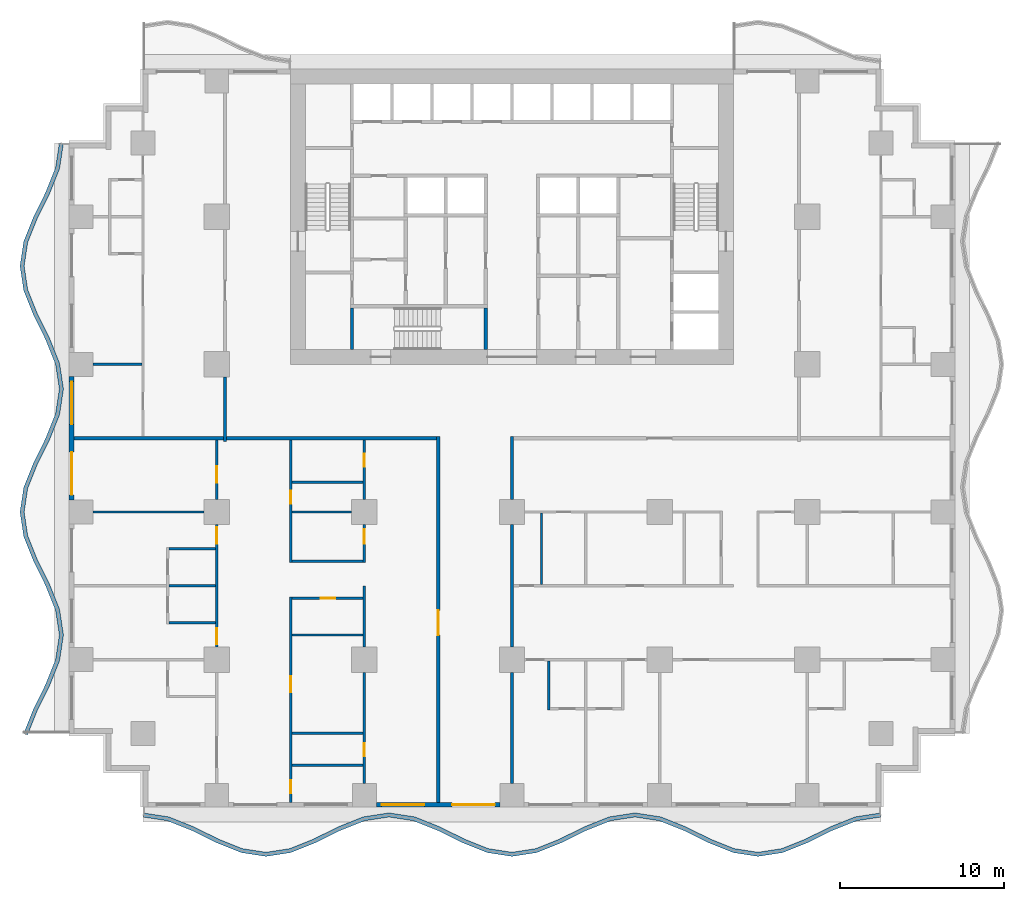
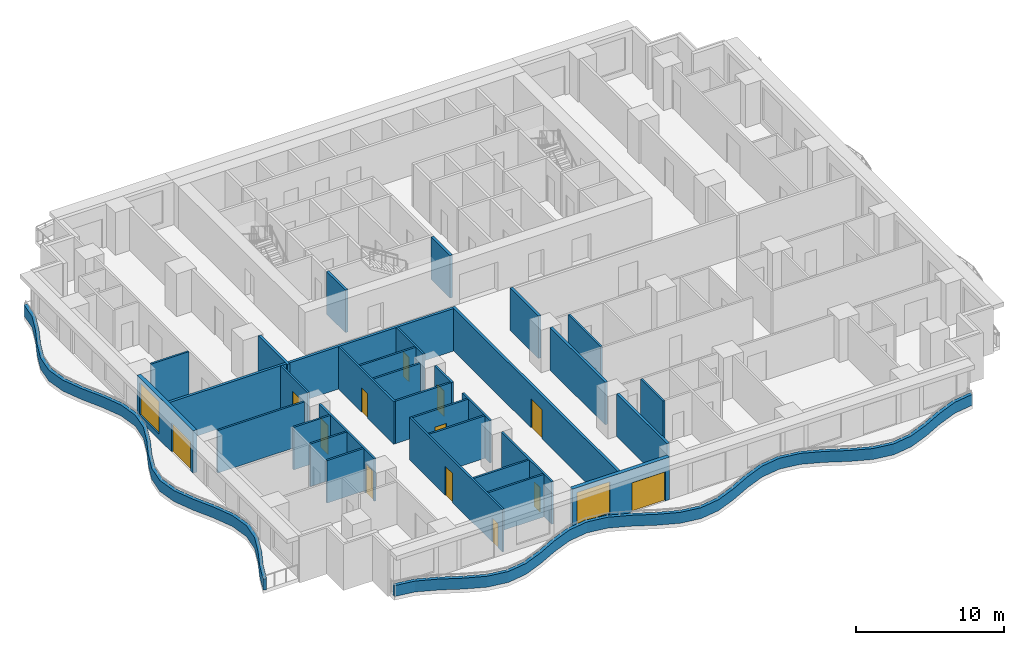
# One storey, part 2 of 14: 35 walls, 13 doors, 2 windows, 15 openings.
"""IFC4 building model written with IfcOpenShell, lengths in metres."""

from ifc_helpers import new_model, si_unit, direction, frame, frame_2d, origin, place, context, subcontext, project, spatial, polyline, rectangle, outline, extrude, material, layer, layer_set, type_object, element, fill, save


model = new_model("IFC4")

# Units and contexts
model_context = context("Model", 3, precision=1e-05, world=origin(), true_north=direction((0.0, 1.0)))
body_context = subcontext(model_context, "Body", "Model", "MODEL_VIEW")
ifc_project = project(units=[si_unit("LENGTHUNIT", "METRE"), si_unit("AREAUNIT", "SQUARE_METRE"), si_unit("VOLUMEUNIT", "CUBIC_METRE"), si_unit("PLANEANGLEUNIT", "RADIAN"), si_unit("MASSUNIT", "GRAM", prefix="KILO")], contexts=[model_context])

# Site, building, storey
site_placement = place(None, origin())
site = spatial("IfcSite", under=ifc_project, at=site_placement, CompositionType="ELEMENT")
building_placement = place(site_placement, origin())
building = spatial("IfcBuilding", under=site, at=building_placement, Name="Orbiselva Terraces", CompositionType="ELEMENT")
storey_placement = place(building_placement, frame((0.0, 0.0, 37.8)))
storey = spatial("IfcBuildingStorey", under=building, at=storey_placement, Name="L09", CompositionType="ELEMENT", Elevation=37.8)

# Walls
ifc_material_1 = material(Name="Concrete C60/75", Category="concrete")
ifc_layer_1 = layer(ifc_material_1, 0.2)
ifc_layer_set_1 = layer_set([ifc_layer_1], Name="Concrete C60/75")
wall_type_1 = type_object("IfcWallType", Name="CORE-WALL-SHEAR-200", PredefinedType="SHEAR", material=ifc_layer_set_1)
for number, where, z_axis, x_axis, name in (
    (1, (-9.75, 5.4, 0.0), (0.0, 0.0, 1.0), (0.0, 1.0, 0.0), "L09 core wall 03"),
    (2, (-1.6, 5.4, 0.0), (0.0, 0.0, 1.0), (0.0, 1.0, 0.0), "L09 core wall 25"),
):
    element("IfcWall", number, at=place(storey_placement, frame(where, z_axis=z_axis, x_axis=x_axis)), inside=storey, type_object=wall_type_1, Name=name, PredefinedType="SHEAR", context=body_context, shape_type="SweptSolid", body=[
        extrude(rectangle(XDim=2.55, YDim=0.2, at=frame_2d((1.275, 0.0))), origin(), (0.0, 0.0, 1.0), 3.5),
    ])
ifc_material_2 = material(Name="Concrete C40/50", Category="concrete")
ifc_layer_2 = layer(ifc_material_2, 0.25)
ifc_layer_set_2 = layer_set([ifc_layer_2], Name="Concrete C40/50")
wall_type_2 = type_object("IfcWallType", Name="ENV-PLANTER-250x900", PredefinedType="USERDEFINED", material=ifc_layer_set_2)
wall_1_placement = place(storey_placement, origin())
element("IfcWall", 3, at=wall_1_placement, inside=storey, type_object=wall_type_2, Name="Balcony planter L09 S", ObjectType="PLANTER", PredefinedType="USERDEFINED", context=body_context, shape_type="SweptSolid", body=[
    extrude(outline(polyline([(-22.5, -23.1), (-21.0, -23.32918), (-19.5, -23.92918), (-18.0, -24.67082), (-16.5, -25.27082), (-15.0, -25.5), (-13.5, -25.27082), (-12.0, -24.67082), (-10.5, -23.92918), (-9.0, -23.32918), (-7.5, -23.1), (-6.0, -23.32918), (-4.5, -23.92918), (-3.0, -24.67082), (-1.5, -25.27082), (0.0, -25.5), (1.5, -25.27082), (3.0, -24.67082), (4.5, -23.92918), (6.0, -23.32918), (7.5, -23.1), (9.0, -23.32918), (10.5, -23.92918), (12.0, -24.67082), (13.5, -25.27082), (15.0, -25.5), (16.5, -25.27082), (18.0, -24.67082), (19.5, -23.92918), (21.0, -23.32918), (22.5, -23.1), (22.462242, -22.852868), (20.933834, -23.086388), (19.398017, -23.700715), (17.898017, -24.442355), (16.433834, -25.028028), (15.0, -25.247099), (13.566166, -25.028028), (12.101983, -24.442355), (10.601983, -23.700715), (9.066166, -23.086388), (7.5, -22.847099), (5.933834, -23.086388), (4.398017, -23.700715), (2.898017, -24.442355), (1.433834, -25.028028), (0.0, -25.247099), (-1.433834, -25.028028), (-2.898017, -24.442355), (-4.398017, -23.700715), (-5.933834, -23.086388), (-7.5, -22.847099), (-9.066166, -23.086388), (-10.601983, -23.700715), (-12.101983, -24.442355), (-13.566166, -25.028028), (-15.0, -25.247099), (-16.433834, -25.028028), (-17.898017, -24.442355), (-19.398017, -23.700715), (-20.933834, -23.086388), (-22.462242, -22.852868), (-22.5, -23.1)])), origin(), (0.0, 0.0, 1.0), 0.9),
])
wall_2_placement = place(storey_placement, origin())
element("IfcWall", 4, at=wall_2_placement, inside=storey, type_object=wall_type_2, Name="Balcony planter L09 W", ObjectType="PLANTER", PredefinedType="USERDEFINED", context=body_context, shape_type="SweptSolid", body=[
    extrude(outline(polyline([(-27.6, 18.0), (-27.82918, 16.5), (-28.42918, 15.0), (-29.17082, 13.5), (-29.77082, 12.0), (-30.0, 10.5), (-29.77082, 9.0), (-29.17082, 7.5), (-28.42918, 6.0), (-27.82918, 4.5), (-27.6, 3.0), (-27.82918, 1.5), (-28.42918, 0.0), (-29.17082, -1.5), (-29.77082, -3.0), (-30.0, -4.5), (-29.77082, -6.0), (-29.17082, -7.5), (-28.42918, -9.0), (-27.82918, -10.5), (-27.6, -12.0), (-27.82918, -13.5), (-28.42918, -15.0), (-29.17082, -16.5), (-29.77082, -18.0), (-29.538701, -18.092848), (-28.942355, -16.601983), (-28.200715, -15.101983), (-27.586388, -13.566166), (-27.347099, -12.0), (-27.586388, -10.433834), (-28.200715, -8.898017), (-28.942355, -7.398017), (-29.528028, -5.933834), (-29.747099, -4.5), (-29.528028, -3.066166), (-28.942355, -1.601983), (-28.200715, -0.101983), (-27.586388, 1.433834), (-27.347099, 3.0), (-27.586388, 4.566166), (-28.200715, 6.101983), (-28.942355, 7.601983), (-29.528028, 9.066166), (-29.747099, 10.5), (-29.528028, 11.933834), (-28.942355, 13.398017), (-28.200715, 14.898017), (-27.586388, 16.433834), (-27.352868, 17.962242), (-27.6, 18.0)])), origin(), (0.0, 0.0, 1.0), 0.9),
])

# Wall, openings, door, window
ifc_material_3 = material(Name="Terracotta cladding on masonry backing", Category="masonry")
ifc_layer_3 = layer(ifc_material_3, 0.3)
ifc_layer_set_3 = layer_set([ifc_layer_3], Name="Terracotta cladding on masonry backing")
wall_type_3 = type_object("IfcWallType", Name="ENV-WALL-TERRACOTTA-300", PredefinedType="SOLIDWALL", material=ifc_layer_set_3)
wall_3_placement = place(storey_placement, frame((-0.725, -22.35, 0.0), z_axis=(0.0, 0.0, 1.0), x_axis=(-1.0, 0.0, 0.0)))
wall_3 = element("IfcWall", 5, at=wall_3_placement, inside=storey, type_object=wall_type_3, Name="Facade wall L09 S", PredefinedType="SOLIDWALL", context=body_context, shape_type="SweptSolid", body=[
    extrude(rectangle(XDim=7.55, YDim=0.3, at=frame_2d((3.775, 0.0))), origin(), (0.0, 0.0, 1.0), 3.5),
])
opening_1_placement = place(wall_3_placement, frame((4.625, 0.0, 0.45)))
opening_1 = element("IfcOpeningElement", 6, at=opening_1_placement, cuts=wall_3, Name="Opening WN1", PredefinedType="OPENING", context=body_context, shape_type="SweptSolid", body=[
    extrude(rectangle(XDim=2.6, YDim=2.65, at=frame_2d((1.3, 1.325))), frame((0.0, 0.16, 0.0), z_axis=(0.0, -1.0, 0.0), x_axis=(1.0, 0.0, 0.0)), (0.0, 0.0, 1.0), 0.32),
])
opening_2_placement = place(wall_3_placement, frame((0.325, 0.0, 0.0)))
opening_2 = element("IfcOpeningElement", 7, at=opening_2_placement, cuts=wall_3, Name="Opening Z1-C-E02", PredefinedType="OPENING", context=body_context, shape_type="SweptSolid", body=[
    extrude(rectangle(XDim=2.6, YDim=2.4, at=frame_2d((1.3, 1.2))), frame((0.0, 0.16, 0.0), z_axis=(0.0, -1.0, 0.0), x_axis=(1.0, 0.0, 0.0)), (0.0, 0.0, 1.0), 0.32),
])
ifc_material_4 = material(Name="Clear low-e glazing in aluminium frame", Category="aluminium")
door_type_1 = type_object("IfcDoorType", Name="BALCONY DOOR 2600 X 2400", OperationType="DOUBLE_DOOR_SLIDING", PredefinedType="DOOR", material=ifc_material_4)
door_1_placement = place(opening_2_placement, origin())
door_1 = element("IfcDoor", 8, at=door_1_placement, inside=storey, type_object=door_type_1, Name="Z1-C-E02", OperationType="SINGLE_SWING_LEFT", OverallHeight=2.4, OverallWidth=2.6, PredefinedType="DOOR", context=body_context, shape_type="SweptSolid", body=[
    extrude(rectangle(XDim=2.6, YDim=2.4, at=frame_2d((1.3, 1.2))), frame((0.0, 0.025, 0.0), z_axis=(0.0, -1.0, 0.0), x_axis=(1.0, 0.0, 0.0)), (0.0, 0.0, 1.0), 0.05),
])
fill(opening_2, door_1)
window_type = type_object("IfcWindowType", Name="WINDOW 2600 X 2650 S450", PartitioningType="TRIPLE_PANEL_VERTICAL", PredefinedType="WINDOW", material=ifc_material_4)
window_1_placement = place(opening_1_placement, origin())
window_1 = element("IfcWindow", 9, at=window_1_placement, inside=storey, type_object=window_type, Name="Window L09 S", OverallHeight=2.65, OverallWidth=2.6, PartitioningType="SINGLE_PANEL", PredefinedType="WINDOW", context=body_context, shape_type="SweptSolid", body=[
    extrude(rectangle(XDim=2.6, YDim=2.65, at=frame_2d((1.3, 1.325))), frame((0.0, 0.03, 0.0), z_axis=(0.0, -1.0, 0.0), x_axis=(1.0, 0.0, 0.0)), (0.0, 0.0, 1.0), 0.06),
])
fill(opening_1, window_1)

wall_4_placement = place(storey_placement, frame((-26.85, -3.775, 0.0), z_axis=(0.0, 0.0, 1.0), x_axis=(0.0, 1.0, 0.0)))
wall_4 = element("IfcWall", 10, at=wall_4_placement, inside=storey, type_object=wall_type_3, Name="Facade wall L09 W", PredefinedType="SOLIDWALL", context=body_context, shape_type="SweptSolid", body=[
    extrude(rectangle(XDim=7.55, YDim=0.3, at=frame_2d((3.775, 0.0))), origin(), (0.0, 0.0, 1.0), 3.5),
])
opening_3_placement = place(wall_4_placement, frame((4.625, 0.0, 0.45)))
opening_3 = element("IfcOpeningElement", 11, at=opening_3_placement, cuts=wall_4, Name="Opening WN1", PredefinedType="OPENING", context=body_context, shape_type="SweptSolid", body=[
    extrude(rectangle(XDim=2.6, YDim=2.65, at=frame_2d((1.3, 1.325))), frame((0.0, 0.16, 0.0), z_axis=(0.0, -1.0, 0.0), x_axis=(1.0, 0.0, 0.0)), (0.0, 0.0, 1.0), 0.32),
])
opening_4_placement = place(wall_4_placement, frame((0.325, 0.0, 0.0)))
opening_4 = element("IfcOpeningElement", 12, at=opening_4_placement, cuts=wall_4, Name="Opening Z1-C-E11", PredefinedType="OPENING", context=body_context, shape_type="SweptSolid", body=[
    extrude(rectangle(XDim=2.6, YDim=2.4, at=frame_2d((1.3, 1.2))), frame((0.0, 0.16, 0.0), z_axis=(0.0, -1.0, 0.0), x_axis=(1.0, 0.0, 0.0)), (0.0, 0.0, 1.0), 0.32),
])
door_2_placement = place(opening_4_placement, origin())
door_2 = element("IfcDoor", 13, at=door_2_placement, inside=storey, type_object=door_type_1, Name="Z1-C-E11", OperationType="SINGLE_SWING_LEFT", OverallHeight=2.4, OverallWidth=2.6, PredefinedType="DOOR", context=body_context, shape_type="SweptSolid", body=[
    extrude(rectangle(XDim=2.6, YDim=2.4, at=frame_2d((1.3, 1.2))), frame((0.0, 0.025, 0.0), z_axis=(0.0, -1.0, 0.0), x_axis=(1.0, 0.0, 0.0)), (0.0, 0.0, 1.0), 0.05),
])
fill(opening_4, door_2)
window_2_placement = place(opening_3_placement, origin())
window_2 = element("IfcWindow", 14, at=window_2_placement, inside=storey, type_object=window_type, Name="Window L09 W", OverallHeight=2.65, OverallWidth=2.6, PartitioningType="SINGLE_PANEL", PredefinedType="WINDOW", context=body_context, shape_type="SweptSolid", body=[
    extrude(rectangle(XDim=2.6, YDim=2.65, at=frame_2d((1.3, 1.325))), frame((0.0, 0.03, 0.0), z_axis=(0.0, -1.0, 0.0), x_axis=(1.0, 0.0, 0.0)), (0.0, 0.0, 1.0), 0.06),
])
fill(opening_3, window_2)

# Walls
ifc_material_5 = material(Name="Plasterboard on steel stud partition", Category="steel")
ifc_layer_4 = layer(ifc_material_5, 0.2)
ifc_layer_set_4 = layer_set([ifc_layer_4], Name="Plasterboard on steel stud partition")
wall_type_4 = type_object("IfcWallType", Name="UNIT-ENTRANCE-WALL-200", PredefinedType="PARTITIONING", material=ifc_layer_set_4)
wall_5_placement = place(storey_placement, frame((-17.4, 0.0, 0.0), z_axis=(0.0, 0.0, 1.0), x_axis=(1.0, 0.0, 0.0)))
element("IfcWall", 15, at=wall_5_placement, inside=storey, type_object=wall_type_4, Name="PARTITION L09-027", PredefinedType="PARTITIONING", context=body_context, shape_type="SweptSolid", body=[
    extrude(rectangle(XDim=12.8, YDim=0.2, at=frame_2d((6.4, 0.0))), origin(), (0.0, 0.0, 1.0), 3.5),
])
wall_6_placement = place(storey_placement, frame((-17.5, -0.2, 0.0), z_axis=(0.0, 0.0, 1.0), x_axis=(0.0, 1.0, 0.0)))
element("IfcWall", 16, at=wall_6_placement, inside=storey, type_object=wall_type_4, Name="PARTITION L09-048", PredefinedType="PARTITIONING", context=body_context, shape_type="SweptSolid", body=[
    extrude(rectangle(XDim=3.925, YDim=0.2, at=frame_2d((1.9625, 0.0))), origin(), (0.0, 0.0, 1.0), 3.5),
])

# Wall, opening, door
wall_7_placement = place(storey_placement, frame((-4.5, -22.2, 0.0), z_axis=(0.0, 0.0, 1.0), x_axis=(0.0, 1.0, 0.0)))
wall_7 = element("IfcWall", 17, at=wall_7_placement, inside=storey, type_object=wall_type_4, Name="PARTITION L09-057", PredefinedType="PARTITIONING", context=body_context, shape_type="SweptSolid", body=[
    extrude(rectangle(XDim=22.3, YDim=0.2, at=frame_2d((11.15, 0.0))), origin(), (0.0, 0.0, 1.0), 3.5),
])
opening_5_placement = place(wall_7_placement, frame((10.2, 0.0, 0.0)))
opening_5 = element("IfcOpeningElement", 18, at=opening_5_placement, cuts=wall_7, Name="Opening Z1-C-13", PredefinedType="OPENING", context=body_context, shape_type="SweptSolid", body=[
    extrude(rectangle(XDim=1.5, YDim=2.4, at=frame_2d((0.75, 1.2))), frame((0.0, 0.11, 0.0), z_axis=(0.0, -1.0, 0.0), x_axis=(1.0, 0.0, 0.0)), (0.0, 0.0, 1.0), 0.22),
])
ifc_material_6 = material(Name="Painted timber door leaf", Category="wood")
door_type_2 = type_object("IfcDoorType", Name="ENTRANCE DOUBLE DOOR 1500", OperationType="NOTDEFINED", PredefinedType="DOOR", material=ifc_material_6)
door_3_placement = place(opening_5_placement, origin())
door_3 = element("IfcDoor", 19, at=door_3_placement, inside=storey, type_object=door_type_2, Name="Z1-C-13", OperationType="DOUBLE_DOOR_SINGLE_SWING", OverallHeight=2.4, OverallWidth=1.5, PredefinedType="DOOR", context=body_context, shape_type="SweptSolid", body=[
    extrude(rectangle(XDim=1.5, YDim=2.4, at=frame_2d((0.75, 1.2))), frame((0.0, 0.025, 0.0), z_axis=(0.0, -1.0, 0.0), x_axis=(1.0, 0.0, 0.0)), (0.0, 0.0, 1.0), 0.05),
])
fill(opening_5, door_3)

# Walls
wall_8_placement = place(storey_placement, frame((0.0, -21.05, 0.0), z_axis=(0.0, 0.0, 1.0), x_axis=(0.0, 1.0, 0.0)))
element("IfcWall", 20, at=wall_8_placement, inside=storey, type_object=wall_type_4, Name="PARTITION L09-058", PredefinedType="PARTITIONING", context=body_context, shape_type="SweptSolid", body=[
    extrude(rectangle(XDim=6.775, YDim=0.2, at=frame_2d((3.3875, 0.0))), origin(), (0.0, 0.0, 1.0), 3.5),
])
wall_9_placement = place(storey_placement, frame((0.0, -12.725, 0.0), z_axis=(0.0, 0.0, 1.0), x_axis=(0.0, 1.0, 0.0)))
element("IfcWall", 21, at=wall_9_placement, inside=storey, type_object=wall_type_4, Name="PARTITION L09-059", PredefinedType="PARTITIONING", context=body_context, shape_type="SweptSolid", body=[
    extrude(rectangle(XDim=7.45, YDim=0.2, at=frame_2d((3.725, 0.0))), origin(), (0.0, 0.0, 1.0), 3.5),
])
wall_10_placement = place(storey_placement, frame((0.0, -3.725, 0.0), z_axis=(0.0, 0.0, 1.0), x_axis=(0.0, 1.0, 0.0)))
element("IfcWall", 22, at=wall_10_placement, inside=storey, type_object=wall_type_4, Name="PARTITION L09-060", PredefinedType="PARTITIONING", context=body_context, shape_type="SweptSolid", body=[
    extrude(rectangle(XDim=3.825, YDim=0.2, at=frame_2d((1.9125, 0.0))), origin(), (0.0, 0.0, 1.0), 3.5),
])
ifc_layer_5 = layer(ifc_material_5, 0.15)
ifc_layer_set_5 = layer_set([ifc_layer_5], Name="Plasterboard on steel stud partition")
wall_type_5 = type_object("IfcWallType", Name="UNIT-PARTITION-150", PredefinedType="PARTITIONING", material=ifc_layer_set_5)
for number, where, z_axis, x_axis, name in (
    (23, (-13.425, -19.95, 0.0), (0.0, 0.0, 1.0), (1.0, 0.0, 0.0), "PARTITION L09-001"),
    (24, (-13.425, -18.0, 0.0), (0.0, 0.0, 1.0), (1.0, 0.0, 0.0), "PARTITION L09-002"),
    (25, (-13.425, -12.0, 0.0), (0.0, 0.0, 1.0), (1.0, 0.0, 0.0), "PARTITION L09-011"),
):
    element("IfcWall", number, at=place(storey_placement, frame(where, z_axis=z_axis, x_axis=x_axis)), inside=storey, type_object=wall_type_5, Name=name, PredefinedType="PARTITIONING", context=body_context, shape_type="SweptSolid", body=[
        extrude(rectangle(XDim=4.35, YDim=0.15, at=frame_2d((2.175, 0.0))), origin(), (0.0, 0.0, 1.0), 3.5),
    ])
wall_11_placement = place(storey_placement, frame((-20.925, -11.25, 0.0), z_axis=(0.0, 0.0, 1.0), x_axis=(1.0, 0.0, 0.0)))
element("IfcWall", 26, at=wall_11_placement, inside=storey, type_object=wall_type_5, Name="PARTITION L09-012", PredefinedType="PARTITIONING", context=body_context, shape_type="SweptSolid", body=[
    extrude(rectangle(XDim=2.85, YDim=0.15, at=frame_2d((1.425, 0.0))), origin(), (0.0, 0.0, 1.0), 3.5),
])

# Wall, opening, door
wall_12_placement = place(storey_placement, frame((-9.075, -9.75, 0.0), z_axis=(0.0, 0.0, 1.0), x_axis=(-1.0, 0.0, 0.0)))
wall_12 = element("IfcWall", 27, at=wall_12_placement, inside=storey, type_object=wall_type_5, Name="PARTITION L09-013", PredefinedType="PARTITIONING", context=body_context, shape_type="SweptSolid", body=[
    extrude(rectangle(XDim=4.35, YDim=0.15, at=frame_2d((2.175, 0.0))), origin(), (0.0, 0.0, 1.0), 3.5),
])
opening_6_placement = place(wall_12_placement, frame((1.7, 0.0, 0.0)))
opening_6 = element("IfcOpeningElement", 28, at=opening_6_placement, cuts=wall_12, Name="Opening Z1-C-17", PredefinedType="OPENING", context=body_context, shape_type="SweptSolid", body=[
    extrude(rectangle(XDim=0.9, YDim=2.1, at=frame_2d((0.45, 1.05))), frame((0.0, 0.085, 0.0), z_axis=(0.0, -1.0, 0.0), x_axis=(1.0, 0.0, 0.0)), (0.0, 0.0, 1.0), 0.17),
])
door_type_3 = type_object("IfcDoorType", Name="BATH DOOR 900", OperationType="NOTDEFINED", PredefinedType="DOOR", material=ifc_material_6)
door_4_placement = place(opening_6_placement, origin())
door_4 = element("IfcDoor", 29, at=door_4_placement, inside=storey, type_object=door_type_3, Name="Z1-C-17", OperationType="SINGLE_SWING_LEFT", OverallHeight=2.1, OverallWidth=0.9, PredefinedType="DOOR", context=body_context, shape_type="SweptSolid", body=[
    extrude(rectangle(XDim=0.9, YDim=2.1, at=frame_2d((0.45, 1.05))), frame((0.0, 0.025, 0.0), z_axis=(0.0, -1.0, 0.0), x_axis=(1.0, 0.0, 0.0)), (0.0, 0.0, 1.0), 0.05),
])
fill(opening_6, door_4)

# Walls
wall_13_placement = place(storey_placement, frame((-20.925, -9.0, 0.0), z_axis=(0.0, 0.0, 1.0), x_axis=(1.0, 0.0, 0.0)))
element("IfcWall", 30, at=wall_13_placement, inside=storey, type_object=wall_type_5, Name="PARTITION L09-015", PredefinedType="PARTITIONING", context=body_context, shape_type="SweptSolid", body=[
    extrude(rectangle(XDim=2.85, YDim=0.15, at=frame_2d((1.425, 0.0))), origin(), (0.0, 0.0, 1.0), 3.5),
])
wall_14_placement = place(storey_placement, frame((-13.425, -7.5, 0.0), z_axis=(0.0, 0.0, 1.0), x_axis=(1.0, 0.0, 0.0)))
element("IfcWall", 31, at=wall_14_placement, inside=storey, type_object=wall_type_5, Name="PARTITION L09-018", PredefinedType="PARTITIONING", context=body_context, shape_type="SweptSolid", body=[
    extrude(rectangle(XDim=4.35, YDim=0.15, at=frame_2d((2.175, 0.0))), origin(), (0.0, 0.0, 1.0), 3.5),
])
wall_15_placement = place(storey_placement, frame((-20.925, -6.75, 0.0), z_axis=(0.0, 0.0, 1.0), x_axis=(1.0, 0.0, 0.0)))
element("IfcWall", 32, at=wall_15_placement, inside=storey, type_object=wall_type_5, Name="PARTITION L09-019", PredefinedType="PARTITIONING", context=body_context, shape_type="SweptSolid", body=[
    extrude(rectangle(XDim=2.85, YDim=0.15, at=frame_2d((1.425, 0.0))), origin(), (0.0, 0.0, 1.0), 3.5),
])
wall_16_placement = place(storey_placement, frame((-25.55, -4.5, 0.0), z_axis=(0.0, 0.0, 1.0), x_axis=(1.0, 0.0, 0.0)))
element("IfcWall", 33, at=wall_16_placement, inside=storey, type_object=wall_type_5, Name="PARTITION L09-020", PredefinedType="PARTITIONING", context=body_context, shape_type="SweptSolid", body=[
    extrude(rectangle(XDim=6.775, YDim=0.15, at=frame_2d((3.3875, 0.0))), origin(), (0.0, 0.0, 1.0), 3.5),
])
wall_17_placement = place(storey_placement, frame((-13.425, -4.5, 0.0), z_axis=(0.0, 0.0, 1.0), x_axis=(1.0, 0.0, 0.0)))
element("IfcWall", 34, at=wall_17_placement, inside=storey, type_object=wall_type_5, Name="PARTITION L09-021", PredefinedType="PARTITIONING", context=body_context, shape_type="SweptSolid", body=[
    extrude(rectangle(XDim=3.65, YDim=0.15, at=frame_2d((1.825, 0.0))), origin(), (0.0, 0.0, 1.0), 3.5),
])
wall_18_placement = place(storey_placement, frame((-13.425, -2.7, 0.0), z_axis=(0.0, 0.0, 1.0), x_axis=(1.0, 0.0, 0.0)))
element("IfcWall", 35, at=wall_18_placement, inside=storey, type_object=wall_type_5, Name="PARTITION L09-026", PredefinedType="PARTITIONING", context=body_context, shape_type="SweptSolid", body=[
    extrude(rectangle(XDim=4.35, YDim=0.15, at=frame_2d((2.175, 0.0))), origin(), (0.0, 0.0, 1.0), 3.5),
])
wall_19_placement = place(storey_placement, frame((-25.55, 4.5, 0.0), z_axis=(0.0, 0.0, 1.0), x_axis=(1.0, 0.0, 0.0)))
element("IfcWall", 36, at=wall_19_placement, inside=storey, type_object=wall_type_5, Name="PARTITION L09-031", PredefinedType="PARTITIONING", context=body_context, shape_type="SweptSolid", body=[
    extrude(rectangle(XDim=2.975, YDim=0.15, at=frame_2d((1.4875, 0.0))), origin(), (0.0, 0.0, 1.0), 3.5),
])

# Wall, openings, doors
wall_20_placement = place(storey_placement, frame((-18.0, -12.725, 0.0), z_axis=(0.0, 0.0, 1.0), x_axis=(0.0, 1.0, 0.0)))
wall_20 = element("IfcWall", 37, at=wall_20_placement, inside=storey, type_object=wall_type_5, Name="PARTITION L09-046", PredefinedType="PARTITIONING", context=body_context, shape_type="SweptSolid", body=[
    extrude(rectangle(XDim=7.45, YDim=0.15, at=frame_2d((3.725, 0.0))), origin(), (0.0, 0.0, 1.0), 3.5),
])
opening_7_placement = place(wall_20_placement, frame((0.15, 0.0, 0.0)))
opening_7 = element("IfcOpeningElement", 38, at=opening_7_placement, cuts=wall_20, Name="Opening Z1-C-23", PredefinedType="OPENING", context=body_context, shape_type="SweptSolid", body=[
    extrude(rectangle(XDim=1.0, YDim=2.4, at=frame_2d((0.5, 1.2))), frame((0.0, 0.085, 0.0), z_axis=(0.0, -1.0, 0.0), x_axis=(1.0, 0.0, 0.0)), (0.0, 0.0, 1.0), 0.17),
])
opening_8_placement = place(wall_20_placement, frame((6.3, 0.0, 0.0)))
opening_8 = element("IfcOpeningElement", 39, at=opening_8_placement, cuts=wall_20, Name="Opening Z1-C-25", PredefinedType="OPENING", context=body_context, shape_type="SweptSolid", body=[
    extrude(rectangle(XDim=1.0, YDim=2.4, at=frame_2d((0.5, 1.2))), frame((0.0, 0.085, 0.0), z_axis=(0.0, -1.0, 0.0), x_axis=(1.0, 0.0, 0.0)), (0.0, 0.0, 1.0), 0.17),
])
door_type_4 = type_object("IfcDoorType", Name="ROOM DOOR 1000", OperationType="NOTDEFINED", PredefinedType="DOOR", material=ifc_material_6)
door_5_placement = place(opening_7_placement, origin())
door_5 = element("IfcDoor", 40, at=door_5_placement, inside=storey, type_object=door_type_4, Name="Z1-C-23", OperationType="SINGLE_SWING_LEFT", OverallHeight=2.4, OverallWidth=1.0, PredefinedType="DOOR", context=body_context, shape_type="SweptSolid", body=[
    extrude(rectangle(XDim=1.0, YDim=2.4, at=frame_2d((0.5, 1.2))), frame((0.0, 0.025, 0.0), z_axis=(0.0, -1.0, 0.0), x_axis=(1.0, 0.0, 0.0)), (0.0, 0.0, 1.0), 0.05),
])
fill(opening_7, door_5)
door_6_placement = place(opening_8_placement, origin())
door_6 = element("IfcDoor", 41, at=door_6_placement, inside=storey, type_object=door_type_4, Name="Z1-C-25", OperationType="SINGLE_SWING_RIGHT", OverallHeight=2.4, OverallWidth=1.0, PredefinedType="DOOR", context=body_context, shape_type="SweptSolid", body=[
    extrude(rectangle(XDim=1.0, YDim=2.4, at=frame_2d((0.5, 1.2))), frame((0.0, 0.025, 0.0), z_axis=(0.0, -1.0, 0.0), x_axis=(1.0, 0.0, 0.0)), (0.0, 0.0, 1.0), 0.05),
])
fill(opening_8, door_6)

# Wall, opening, door
wall_21_placement = place(storey_placement, frame((-18.0, -3.725, 0.0), z_axis=(0.0, 0.0, 1.0), x_axis=(0.0, 1.0, 0.0)))
wall_21 = element("IfcWall", 42, at=wall_21_placement, inside=storey, type_object=wall_type_5, Name="PARTITION L09-047", PredefinedType="PARTITIONING", context=body_context, shape_type="SweptSolid", body=[
    extrude(rectangle(XDim=3.625, YDim=0.15, at=frame_2d((1.8125, 0.0))), origin(), (0.0, 0.0, 1.0), 3.5),
])
opening_9_placement = place(wall_21_placement, frame((1.0, 0.0, 0.0)))
opening_9 = element("IfcOpeningElement", 43, at=opening_9_placement, cuts=wall_21, Name="Opening Z1-C-27", PredefinedType="OPENING", context=body_context, shape_type="SweptSolid", body=[
    extrude(rectangle(XDim=1.0, YDim=2.4, at=frame_2d((0.5, 1.2))), frame((0.0, 0.085, 0.0), z_axis=(0.0, -1.0, 0.0), x_axis=(1.0, 0.0, 0.0)), (0.0, 0.0, 1.0), 0.17),
])
door_7_placement = place(opening_9_placement, origin())
door_7 = element("IfcDoor", 44, at=door_7_placement, inside=storey, type_object=door_type_4, Name="Z1-C-27", OperationType="SINGLE_SWING_LEFT", OverallHeight=2.4, OverallWidth=1.0, PredefinedType="DOOR", context=body_context, shape_type="SweptSolid", body=[
    extrude(rectangle(XDim=1.0, YDim=2.4, at=frame_2d((0.5, 1.2))), frame((0.0, 0.025, 0.0), z_axis=(0.0, -1.0, 0.0), x_axis=(1.0, 0.0, 0.0)), (0.0, 0.0, 1.0), 0.05),
])
fill(opening_9, door_7)

# Wall, openings, doors
wall_22_placement = place(storey_placement, frame((-13.5, -9.675, 0.0), z_axis=(0.0, 0.0, 1.0), x_axis=(0.0, -1.0, 0.0)))
wall_22 = element("IfcWall", 45, at=wall_22_placement, inside=storey, type_object=wall_type_5, Name="PARTITION L09-051", PredefinedType="PARTITIONING", context=body_context, shape_type="SweptSolid", body=[
    extrude(rectangle(XDim=12.525, YDim=0.15, at=frame_2d((6.2625, 0.0))), origin(), (0.0, 0.0, 1.0), 3.5),
])
opening_10_placement = place(wall_22_placement, frame((11.175, 0.0, 0.0)))
opening_10 = element("IfcOpeningElement", 46, at=opening_10_placement, cuts=wall_22, Name="Opening Z1-C-14", PredefinedType="OPENING", context=body_context, shape_type="SweptSolid", body=[
    extrude(rectangle(XDim=0.8, YDim=2.0, at=frame_2d((0.4, 1.0))), frame((0.0, 0.085, 0.0), z_axis=(0.0, -1.0, 0.0), x_axis=(1.0, 0.0, 0.0)), (0.0, 0.0, 1.0), 0.17),
])
opening_11_placement = place(wall_22_placement, frame((4.825, 0.0, 0.0)))
opening_11 = element("IfcOpeningElement", 47, at=opening_11_placement, cuts=wall_22, Name="Opening Z1-C-16", PredefinedType="OPENING", context=body_context, shape_type="SweptSolid", body=[
    extrude(rectangle(XDim=1.0, YDim=2.4, at=frame_2d((0.5, 1.2))), frame((0.0, 0.085, 0.0), z_axis=(0.0, -1.0, 0.0), x_axis=(1.0, 0.0, 0.0)), (0.0, 0.0, 1.0), 0.17),
])
door_8_placement = place(opening_11_placement, origin())
door_8 = element("IfcDoor", 48, at=door_8_placement, inside=storey, type_object=door_type_4, Name="Z1-C-16", OperationType="SINGLE_SWING_LEFT", OverallHeight=2.4, OverallWidth=1.0, PredefinedType="DOOR", context=body_context, shape_type="SweptSolid", body=[
    extrude(rectangle(XDim=1.0, YDim=2.4, at=frame_2d((0.5, 1.2))), frame((0.0, 0.025, 0.0), z_axis=(0.0, -1.0, 0.0), x_axis=(1.0, 0.0, 0.0)), (0.0, 0.0, 1.0), 0.05),
])
fill(opening_11, door_8)
door_type_5 = type_object("IfcDoorType", Name="STORE DOOR 800", OperationType="NOTDEFINED", PredefinedType="DOOR", material=ifc_material_6)
door_9_placement = place(opening_10_placement, origin())
door_9 = element("IfcDoor", 49, at=door_9_placement, inside=storey, type_object=door_type_5, Name="Z1-C-14", OperationType="SINGLE_SWING_RIGHT", OverallHeight=2.0, OverallWidth=0.8, PredefinedType="DOOR", context=body_context, shape_type="SweptSolid", body=[
    extrude(rectangle(XDim=0.8, YDim=2.0, at=frame_2d((0.4, 1.0))), frame((0.0, 0.025, 0.0), z_axis=(0.0, -1.0, 0.0), x_axis=(1.0, 0.0, 0.0)), (0.0, 0.0, 1.0), 0.05),
])
fill(opening_10, door_9)

# Wall, opening, door
wall_23_placement = place(storey_placement, frame((-13.5, -0.1, 0.0), z_axis=(0.0, 0.0, 1.0), x_axis=(0.0, -1.0, 0.0)))
wall_23 = element("IfcWall", 50, at=wall_23_placement, inside=storey, type_object=wall_type_5, Name="PARTITION L09-052", PredefinedType="PARTITIONING", context=body_context, shape_type="SweptSolid", body=[
    extrude(rectangle(XDim=7.475, YDim=0.15, at=frame_2d((3.7375, 0.0))), origin(), (0.0, 0.0, 1.0), 3.5),
])
opening_12_placement = place(wall_23_placement, frame((3.1, 0.0, 0.0)))
opening_12 = element("IfcOpeningElement", 51, at=opening_12_placement, cuts=wall_23, Name="Opening Z1-C-19", PredefinedType="OPENING", context=body_context, shape_type="SweptSolid", body=[
    extrude(rectangle(XDim=0.8, YDim=2.0, at=frame_2d((0.4, 1.0))), frame((0.0, 0.085, 0.0), z_axis=(0.0, -1.0, 0.0), x_axis=(1.0, 0.0, 0.0)), (0.0, 0.0, 1.0), 0.17),
])
door_10_placement = place(opening_12_placement, origin())
door_10 = element("IfcDoor", 52, at=door_10_placement, inside=storey, type_object=door_type_5, Name="Z1-C-19", OperationType="SINGLE_SWING_LEFT", OverallHeight=2.0, OverallWidth=0.8, PredefinedType="DOOR", context=body_context, shape_type="SweptSolid", body=[
    extrude(rectangle(XDim=0.8, YDim=2.0, at=frame_2d((0.4, 1.0))), frame((0.0, 0.025, 0.0), z_axis=(0.0, -1.0, 0.0), x_axis=(1.0, 0.0, 0.0)), (0.0, 0.0, 1.0), 0.05),
])
fill(opening_12, door_10)

wall_24_placement = place(storey_placement, frame((-9.0, -21.05, 0.0), z_axis=(0.0, 0.0, 1.0), x_axis=(0.0, 1.0, 0.0)))
wall_24 = element("IfcWall", 53, at=wall_24_placement, inside=storey, type_object=wall_type_5, Name="PARTITION L09-053", PredefinedType="PARTITIONING", context=body_context, shape_type="SweptSolid", body=[
    extrude(rectangle(XDim=6.775, YDim=0.15, at=frame_2d((3.3875, 0.0))), origin(), (0.0, 0.0, 1.0), 3.5),
])
opening_13_placement = place(wall_24_placement, frame((1.65, 0.0, 0.0)))
opening_13 = element("IfcOpeningElement", 54, at=opening_13_placement, cuts=wall_24, Name="Opening Z1-C-15", PredefinedType="OPENING", context=body_context, shape_type="SweptSolid", body=[
    extrude(rectangle(XDim=0.8, YDim=2.0, at=frame_2d((0.4, 1.0))), frame((0.0, 0.085, 0.0), z_axis=(0.0, -1.0, 0.0), x_axis=(1.0, 0.0, 0.0)), (0.0, 0.0, 1.0), 0.17),
])
door_11_placement = place(opening_13_placement, origin())
door_11 = element("IfcDoor", 55, at=door_11_placement, inside=storey, type_object=door_type_5, Name="Z1-C-15", OperationType="SINGLE_SWING_LEFT", OverallHeight=2.0, OverallWidth=0.8, PredefinedType="DOOR", context=body_context, shape_type="SweptSolid", body=[
    extrude(rectangle(XDim=0.8, YDim=2.0, at=frame_2d((0.4, 1.0))), frame((0.0, 0.025, 0.0), z_axis=(0.0, -1.0, 0.0), x_axis=(1.0, 0.0, 0.0)), (0.0, 0.0, 1.0), 0.05),
])
fill(opening_13, door_11)

# Wall
wall_25_placement = place(storey_placement, frame((-9.0, -12.725, 0.0), z_axis=(0.0, 0.0, 1.0), x_axis=(0.0, 1.0, 0.0)))
element("IfcWall", 56, at=wall_25_placement, inside=storey, type_object=wall_type_5, Name="PARTITION L09-054", PredefinedType="PARTITIONING", context=body_context, shape_type="SweptSolid", body=[
    extrude(rectangle(XDim=3.725, YDim=0.15, at=frame_2d((1.8625, 0.0))), origin(), (0.0, 0.0, 1.0), 3.5),
])

# Wall, opening, door
wall_26_placement = place(storey_placement, frame((-9.0, -7.575, 0.0), z_axis=(0.0, 0.0, 1.0), x_axis=(0.0, 1.0, 0.0)))
wall_26 = element("IfcWall", 57, at=wall_26_placement, inside=storey, type_object=wall_type_5, Name="PARTITION L09-055", PredefinedType="PARTITIONING", context=body_context, shape_type="SweptSolid", body=[
    extrude(rectangle(XDim=2.3, YDim=0.15, at=frame_2d((1.15, 0.0))), origin(), (0.0, 0.0, 1.0), 3.5),
])
opening_14_placement = place(wall_26_placement, frame((1.125, 0.0, 0.0)))
opening_14 = element("IfcOpeningElement", 58, at=opening_14_placement, cuts=wall_26, Name="Opening Z1-C-18", PredefinedType="OPENING", context=body_context, shape_type="SweptSolid", body=[
    extrude(rectangle(XDim=0.9, YDim=2.1, at=frame_2d((0.45, 1.05))), frame((0.0, 0.085, 0.0), z_axis=(0.0, -1.0, 0.0), x_axis=(1.0, 0.0, 0.0)), (0.0, 0.0, 1.0), 0.17),
])
door_type_6 = type_object("IfcDoorType", Name="SERVICE DOOR 900", OperationType="NOTDEFINED", PredefinedType="DOOR", material=ifc_material_6)
door_12_placement = place(opening_14_placement, origin())
door_12 = element("IfcDoor", 59, at=door_12_placement, inside=storey, type_object=door_type_6, Name="Z1-C-18", OperationType="SINGLE_SWING_RIGHT", OverallHeight=2.1, OverallWidth=0.9, PredefinedType="DOOR", context=body_context, shape_type="SweptSolid", body=[
    extrude(rectangle(XDim=0.9, YDim=2.1, at=frame_2d((0.45, 1.05))), frame((0.0, 0.025, 0.0), z_axis=(0.0, -1.0, 0.0), x_axis=(1.0, 0.0, 0.0)), (0.0, 0.0, 1.0), 0.05),
])
fill(opening_14, door_12)

wall_27_placement = place(storey_placement, frame((-9.0, -3.725, 0.0), z_axis=(0.0, 0.0, 1.0), x_axis=(0.0, 1.0, 0.0)))
wall_27 = element("IfcWall", 60, at=wall_27_placement, inside=storey, type_object=wall_type_5, Name="PARTITION L09-056", PredefinedType="PARTITIONING", context=body_context, shape_type="SweptSolid", body=[
    extrude(rectangle(XDim=3.625, YDim=0.15, at=frame_2d((1.8125, 0.0))), origin(), (0.0, 0.0, 1.0), 3.5),
])
opening_15_placement = place(wall_27_placement, frame((1.975, 0.0, 0.0)))
opening_15 = element("IfcOpeningElement", 61, at=opening_15_placement, cuts=wall_27, Name="Opening Z1-C-20", PredefinedType="OPENING", context=body_context, shape_type="SweptSolid", body=[
    extrude(rectangle(XDim=0.8, YDim=2.0, at=frame_2d((0.4, 1.0))), frame((0.0, 0.085, 0.0), z_axis=(0.0, -1.0, 0.0), x_axis=(1.0, 0.0, 0.0)), (0.0, 0.0, 1.0), 0.17),
])
door_13_placement = place(opening_15_placement, origin())
door_13 = element("IfcDoor", 62, at=door_13_placement, inside=storey, type_object=door_type_5, Name="Z1-C-20", OperationType="SINGLE_SWING_RIGHT", OverallHeight=2.0, OverallWidth=0.8, PredefinedType="DOOR", context=body_context, shape_type="SweptSolid", body=[
    extrude(rectangle(XDim=0.8, YDim=2.0, at=frame_2d((0.4, 1.0))), frame((0.0, 0.025, 0.0), z_axis=(0.0, -1.0, 0.0), x_axis=(1.0, 0.0, 0.0)), (0.0, 0.0, 1.0), 0.05),
])
fill(opening_15, door_13)

# Walls
wall_28_placement = place(storey_placement, frame((1.8, -8.925, 0.0), z_axis=(0.0, 0.0, 1.0), x_axis=(0.0, 1.0, 0.0)))
element("IfcWall", 63, at=wall_28_placement, inside=storey, type_object=wall_type_5, Name="PARTITION L09-061", PredefinedType="PARTITIONING", context=body_context, shape_type="SweptSolid", body=[
    extrude(rectangle(XDim=4.35, YDim=0.15, at=frame_2d((2.175, 0.0))), origin(), (0.0, 0.0, 1.0), 3.5),
])
wall_29_placement = place(storey_placement, frame((2.25, -16.575, 0.0), z_axis=(0.0, 0.0, 1.0), x_axis=(0.0, 1.0, 0.0)))
element("IfcWall", 64, at=wall_29_placement, inside=storey, type_object=wall_type_5, Name="PARTITION L09-062", PredefinedType="PARTITIONING", context=body_context, shape_type="SweptSolid", body=[
    extrude(rectangle(XDim=3.0, YDim=0.15, at=frame_2d((1.5, 0.0))), origin(), (0.0, 0.0, 1.0), 3.5),
])
ifc_layer_6 = layer(ifc_material_5, 0.2)
ifc_layer_set_6 = layer_set([ifc_layer_6], Name="Plasterboard on steel stud partition")
wall_type_6 = type_object("IfcWallType", Name="UNIT-PARTY-WALL-200", PredefinedType="PARTITIONING", material=ifc_layer_set_6)
wall_30_placement = place(storey_placement, frame((-26.7, 0.0, 0.0), z_axis=(0.0, 0.0, 1.0), x_axis=(1.0, 0.0, 0.0)))
element("IfcWall", 65, at=wall_30_placement, inside=storey, type_object=wall_type_6, Name="PARTITION L09-029", PredefinedType="PARTITIONING", context=body_context, shape_type="SweptSolid", body=[
    extrude(rectangle(XDim=9.1, YDim=0.2, at=frame_2d((4.55, 0.0))), origin(), (0.0, 0.0, 1.0), 3.5),
])

save(model, "model.ifc")
